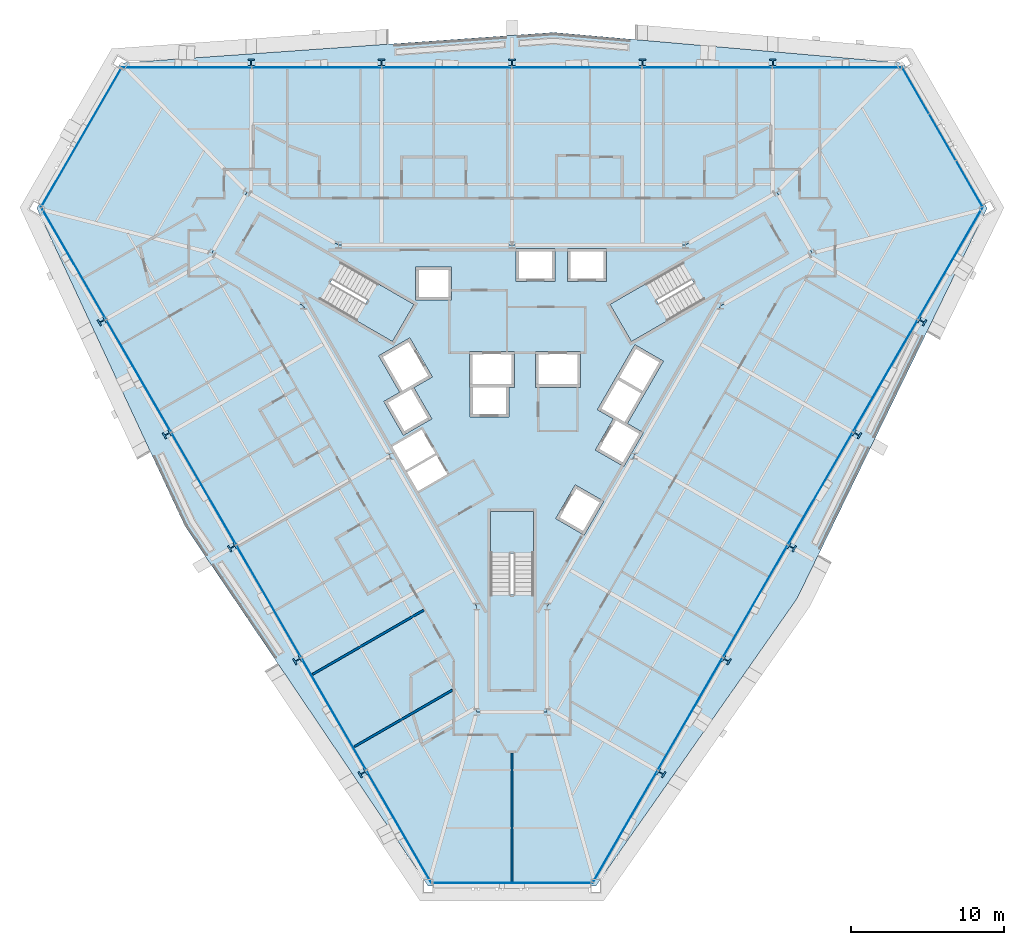
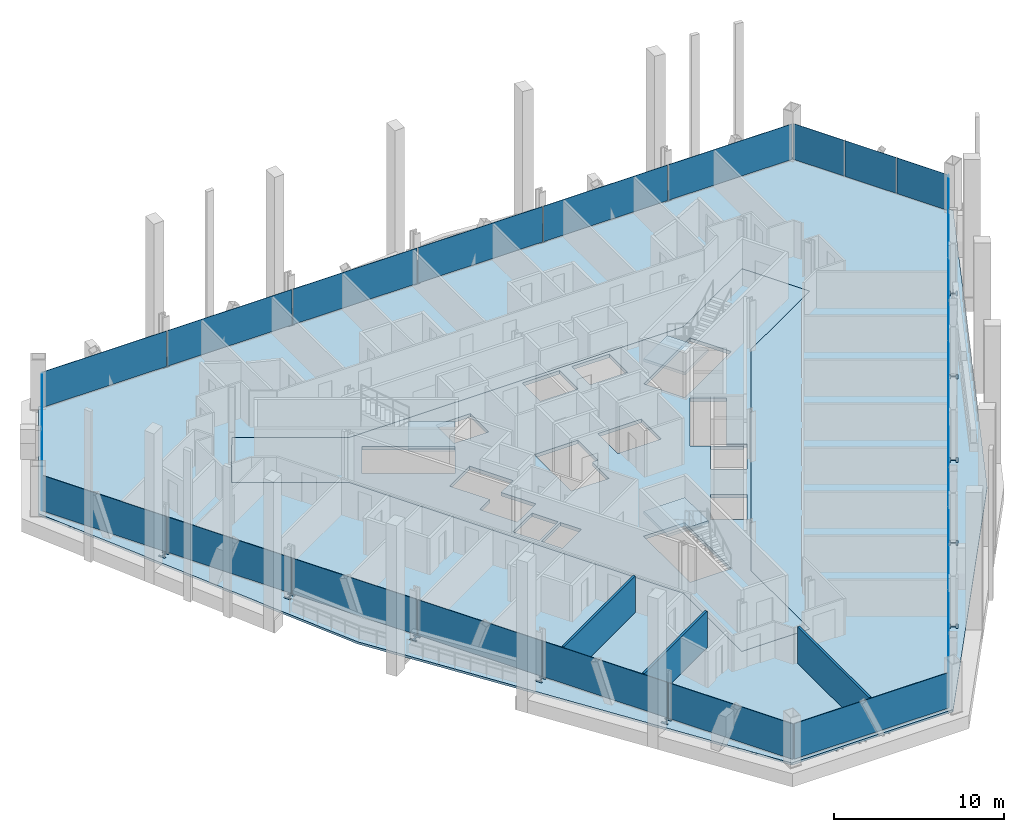
# One storey, part 10 of 18: 23 plates, 15 members, 5 slabs, 3 walls, 9 elements without a shape of their own.
"""IFC4 building model written with IfcOpenShell, lengths in metres."""

from ifc_helpers import new_model, si_unit, direction, frame, frame_2d, origin, origin_2d, place, context, subcontext, project, spatial, polyline, rectangle, i_section, outline, extrude, material, layer, layer_set, material_profile, profile_set, type_object, element, aggregate, save


model = new_model("IFC4")

# Units and contexts
model_context = context("Model", 3, precision=1e-05, world=origin(), true_north=direction((0.0, 1.0)))
body_context = subcontext(model_context, "Body", "Model", "MODEL_VIEW")
ifc_project = project(units=[si_unit("LENGTHUNIT", "METRE"), si_unit("AREAUNIT", "SQUARE_METRE"), si_unit("VOLUMEUNIT", "CUBIC_METRE"), si_unit("PLANEANGLEUNIT", "RADIAN"), si_unit("MASSUNIT", "GRAM", prefix="KILO")], contexts=[model_context])

# Site, building, storey
site_placement = place(None, origin())
site = spatial("IfcSite", under=ifc_project, at=site_placement, CompositionType="ELEMENT")
building_placement = place(site_placement, origin())
building = spatial("IfcBuilding", under=site, at=building_placement, Name="Verrane Prism Tower", CompositionType="ELEMENT")
storey_placement = place(building_placement, frame((0.0, 0.0, 47.60009765625)))
storey = spatial("IfcBuildingStorey", under=building, at=storey_placement, Name="L09", CompositionType="ELEMENT", Elevation=47.60009765625)

# Members
ifc_material_1 = material(Name="Steel A992", Category="steel")
ifc_material_profile = material_profile(ifc_material_1, i_section(OverallWidth=0.44189453125, OverallDepth=0.53076171875, WebThickness=0.06591796875, FlangeThickness=0.105712890625, FilletRadius=0.01513671875, at=origin_2d()), Name="W14x605")
ifc_profile_set = profile_set([ifc_material_profile], Name="Steel A992")
member_type = type_object("IfcMemberType", Name="Kink node W14x605", PredefinedType="COLLAR", material=ifc_profile_set)
for number, where, z_axis, x_axis, name in (
    (1, (17.029541015625, 21.069091796875, -0.025146484375), (0.0, 0.0, 1.0), (1.0, 0.0, 0.0), "Kink node PC2 L09"),
    (2, (8.519775390625, 21.069091796875, -0.025146484375), (0.0, 0.0, 1.0), (1.0, 0.0, 0.0), "Kink node PC2 L09"),
    (3, (0.0, 21.069091796875, -0.025146484375), (0.0, 0.0, 1.0), (1.0, 0.0, 0.0), "Kink node PC2 L09"),
    (4, (-8.519775390625, 21.069091796875, -0.025146484375), (0.0, 0.0, 1.0), (1.0, 0.0, 0.0), "Kink node PC2 L09"),
    (5, (-17.029541015625, 21.069091796875, -0.025146484375), (0.0, 0.0, 1.0), (1.0, 0.0, 0.0), "Kink node PC2 L09"),
    (6, (9.729248046875, -25.2890625, -0.025146484375), (0.0, 0.0, 1.0), (-0.5, -0.866025403784, 0.0), "Kink node PC2 L09"),
    (7, (13.9892578125, -17.9091796875, -0.025146484375), (0.0, 0.0, 1.0), (-0.5, -0.866025403784, 0.0), "Kink node PC2 L09"),
    (8, (18.2490234375, -10.539306640625, -0.025146484375), (0.0, 0.0, 1.0), (-0.5, -0.866025403784, 0.0), "Kink node PC2 L09"),
    (9, (22.509033203125, -3.15966796875, -0.025146484375), (0.0, 0.0, 1.0), (-0.5, -0.866025403784, 0.0), "Kink node PC2 L09"),
    (10, (26.7587890625, 4.22021484375, -0.025146484375), (0.0, 0.0, 1.0), (-0.5, -0.866025403784, 0.0), "Kink node PC2 L09"),
    (11, (-26.7587890625, 4.22021484375, -0.025146484375), (0.0, 0.0, 1.0), (-0.5, 0.866025403784, 0.0), "Kink node PC2 L09"),
    (12, (-22.509033203125, -3.15966796875, -0.025146484375), (0.0, 0.0, 1.0), (-0.5, 0.866025403784, 0.0), "Kink node PC2 L09"),
    (13, (-18.2490234375, -10.539306640625, -0.025146484375), (0.0, 0.0, 1.0), (-0.5, 0.866025403784, 0.0), "Kink node PC2 L09"),
    (14, (-13.9892578125, -17.9091796875, -0.025146484375), (0.0, 0.0, 1.0), (-0.5, 0.866025403784, 0.0), "Kink node PC2 L09"),
    (15, (-9.729248046875, -25.2890625, -0.025146484375), (0.0, 0.0, 1.0), (-0.5, 0.866025403784, 0.0), "Kink node PC2 L09"),
):
    element("IfcMember", number, at=place(storey_placement, frame(where, z_axis=z_axis, x_axis=x_axis)), inside=storey, type_object=member_type, Name=name, PredefinedType="COLLAR", context=body_context, shape_type="SweptSolid", body=[
        extrude(i_section(OverallWidth=0.44189453125, OverallDepth=0.53076171875, WebThickness=0.06591796875, FlangeThickness=0.105712890625, FilletRadius=0.01513671875, at=origin_2d()), origin(), (0.0, 0.0, 1.0), 0.050048828125),
    ])

# Slabs
ifc_material_2 = material(Name="Concrete C35/45", Category="concrete")
ifc_layer_1 = layer(ifc_material_2, 0.159912109375)
ifc_layer_set_1 = layer_set([ifc_layer_1], Name="Composite floor slab")
slab_type_1 = type_object("IfcSlabType", Name="Composite floor slab", PredefinedType="FLOOR", material=ifc_layer_set_1)
slab_1_placement = place(storey_placement, frame((0.0, 0.0, -0.16015625)))
element("IfcSlab", 16, at=slab_1_placement, inside=storey, type_object=slab_type_1, Name="Floor slab L09", PredefinedType="FLOOR", context=body_context, shape_type="SweptSolid", body=[
    extrude(outline(polyline([(18.61669921875, -13.89501953125), (5.472900390625, -32.660400390625), (-5.472900390625, -32.660400390625), (-21.341796875, -9.1748046875), (-31.021240234375, 11.590576171875), (-25.54833984375, 21.070068359375), (2.72509765625, 23.070068359375), (25.54833984375, 21.070068359375), (31.021240234375, 11.590576171875), (18.61669921875, -13.89501953125)]), holes=[polyline([(19.60009765625, 8.659912109375), (17.300048828125, 12.639892578125), (11.330078125, 9.199951171875), (0.0, 9.199951171875), (-11.330078125, 9.199951171875), (-17.300048828125, 12.639892578125), (-19.60009765625, 8.659912109375), (-13.6298828125, 5.219970703125), (-7.969970703125, -4.60009765625), (-2.300048828125, -14.419921875), (-2.300048828125, -21.300048828125), (2.300048828125, -21.300048828125), (2.300048828125, -14.419921875), (7.969970703125, -4.60009765625), (13.6298828125, 5.219970703125), (19.60009765625, 8.659912109375)])]), origin(), (0.0, 0.0, 1.0), 0.16015625),
])
ifc_material_3 = material(Name="Concrete C40/50", Category="concrete")
ifc_layer_2 = layer(ifc_material_3, 0.25)
ifc_layer_set_2 = layer_set([ifc_layer_2], Name="Core floor slab 250 concrete C40/50")
slab_type_2 = type_object("IfcSlabType", Name="Core floor slab 250 concrete C40/50", PredefinedType="FLOOR", material=ifc_layer_set_2)
slab_2_placement = place(storey_placement, frame((0.0, 0.0, -0.25)))
element("IfcSlab", 17, at=slab_2_placement, inside=storey, type_object=slab_type_2, Name="Core floor L09", PredefinedType="FLOOR", context=body_context, shape_type="SweptSolid", body=[
    extrude(outline(polyline([(13.6298828125, 5.219970703125), (19.60009765625, 8.659912109375), (17.300048828125, 12.639892578125), (11.330078125, 9.199951171875), (0.0, 9.199951171875), (-11.330078125, 9.199951171875), (-17.300048828125, 12.639892578125), (-19.60009765625, 8.659912109375), (-13.6298828125, 5.219970703125), (-7.969970703125, -4.60009765625), (-2.300048828125, -14.419921875), (-2.300048828125, -21.300048828125), (2.300048828125, -21.300048828125), (2.300048828125, -14.419921875), (7.969970703125, -4.60009765625), (13.6298828125, 5.219970703125)]), holes=[polyline([(1.39990234375, -8.199951171875), (1.39990234375, -13.639892578125), (-1.39990234375, -13.639892578125), (-1.39990234375, -8.199951171875), (1.39990234375, -8.199951171875)]), polyline([(-4.215087890625, -5.77099609375), (-6.14208984375, -6.883056640625), (-6.85400390625, -5.64599609375), (-4.928955078125, -4.533935546875), (-4.215087890625, -5.77099609375)]), polyline([(-5.0029296875, -4.404052734375), (-6.929931640625, -5.51708984375), (-7.819091796875, -3.97705078125), (-5.89306640625, -2.864013671875), (-5.0029296875, -4.404052734375)]), polyline([(0.1650390625, 2.25), (0.1650390625, -0.10009765625), (-0.205078125, -0.10009765625), (-0.205078125, -2.050048828125), (-2.7548828125, -2.050048828125), (-2.7548828125, -0.10009765625), (-2.784912109375, -0.10009765625), (-2.784912109375, 2.25), (0.1650390625, 2.25)]), polyline([(-12.512939453125, 5.60791015625), (-11.113037109375, 8.031982421875), (-6.40087890625, 5.31201171875), (-7.801025390625, 2.887939453125), (-12.512939453125, 5.60791015625)]), polyline([(-6.284912109375, 5.610107421875), (-6.284912109375, 7.760009765625), (-3.93505859375, 7.760009765625), (-3.93505859375, 5.610107421875), (-6.284912109375, 5.610107421875)]), polyline([(4.717041015625, -9.75), (2.85498046875, -8.675048828125), (4.1298828125, -6.466064453125), (5.991943359375, -7.541015625), (4.717041015625, -9.75)]), polyline([(8.303955078125, -3.136962890625), (5.575927734375, -1.56201171875), (8.02587890625, 2.680908203125), (9.887939453125, 1.60595703125), (7.5380859375, -2.464111328125), (8.576904296875, -3.06396484375), (7.302001953125, -5.27197265625), (5.43994140625, -4.197021484375), (6.614990234375, -2.162109375), (8.303955078125, -3.136962890625)]), polyline([(1.52490234375, -0.10009765625), (1.52490234375, 2.25), (4.47509765625, 2.25), (4.47509765625, -0.10009765625), (1.52490234375, -0.10009765625)]), polyline([(6.40087890625, 5.31201171875), (11.113037109375, 8.031982421875), (12.512939453125, 5.60791015625), (7.801025390625, 2.887939453125), (6.40087890625, 5.31201171875)]), polyline([(0.264892578125, 6.81005859375), (0.264892578125, 8.9599609375), (2.81494140625, 8.9599609375), (2.81494140625, 6.81005859375), (0.264892578125, 6.81005859375)]), polyline([(3.625, 6.81005859375), (3.625, 8.9599609375), (6.175048828125, 8.9599609375), (6.175048828125, 6.81005859375), (3.625, 6.81005859375)]), polyline([(-5.23095703125, -2.159912109375), (-7.093017578125, -3.235107421875), (-8.367919921875, -1.02587890625), (-7.3291015625, -0.426025390625), (-8.7041015625, 1.955078125), (-6.66796875, 3.1298828125), (-5.193115234375, 0.574951171875), (-6.406005859375, -0.125), (-5.23095703125, -2.159912109375)])]), origin(), (0.0, 0.0, 1.0), 0.25),
])

# Curtain wall, plates
ifc_material_4 = material(Name="Aluminium framed insulated glazing", Category="aluminium")
curtain_wall_type_1 = type_object("IfcCurtainWallType", Name="Curtain wall CW-C 4200 module", PredefinedType="NOTDEFINED", material=ifc_material_4)
curtain_wall_1_placement = place(storey_placement, origin())
curtain_wall_1 = element("IfcCurtainWall", 18, at=curtain_wall_1_placement, inside=storey, type_object=curtain_wall_type_1, Name="Glazed curtain wall north-east corner L09", PredefinedType="NOTDEFINED")
ifc_material_5 = material(Name="Low-iron insulating glass unit", Category="glass")
ifc_layer_3 = layer(ifc_material_5, 0.02392578125)
ifc_layer_set_3 = layer_set([ifc_layer_3], Name="Glazing panel IGU 24")
plate_type_1 = type_object("IfcPlateType", Name="Glazing panel IGU 24", PredefinedType="CURTAIN_PANEL", material=ifc_layer_set_3)
plate_1_placement = place(storey_placement, frame((29.85888671875, 13.1982421875, 0.0498046875), z_axis=(0.0, 0.0, 1.0), x_axis=(-0.499998785495, 0.866026104978, 0.0)))
plate_1 = element("IfcPlate", 19, at=plate_1_placement, type_object=plate_type_1, Name="CW09.1 panel 1", PredefinedType="CURTAIN_PANEL", context=body_context, shape_type="SweptSolid", body=[
    extrude(rectangle(XDim=3.43701171875, YDim=0.02392578125, at=origin_2d()), origin(), (0.0, 0.0, 1.0), 2.56298828125),
])
plate_2_placement = place(storey_placement, frame((28.109130859375, 16.228759765625, 0.0498046875), z_axis=(0.0, 0.0, 1.0), x_axis=(-0.499998785495, 0.866026104978, 0.0)))
plate_2 = element("IfcPlate", 20, at=plate_2_placement, type_object=plate_type_1, Name="CW09.1 panel 2", PredefinedType="CURTAIN_PANEL", context=body_context, shape_type="SweptSolid", body=[
    extrude(rectangle(XDim=3.4619140625, YDim=0.02392578125, at=origin_2d()), origin(), (0.0, 0.0, 1.0), 2.56298828125),
])
plate_3_placement = place(storey_placement, frame((26.346923828125, 19.281005859375, 0.0498046875), z_axis=(0.0, 0.0, 1.0), x_axis=(-0.499998785495, 0.866026104978, 0.0)))
plate_3 = element("IfcPlate", 21, at=plate_3_placement, type_object=plate_type_1, Name="CW09.1 panel 3", PredefinedType="CURTAIN_PANEL", context=body_context, shape_type="SweptSolid", body=[
    extrude(rectangle(XDim=3.487060546875, YDim=0.02392578125, at=origin_2d()), origin(), (0.0, 0.0, 1.0), 2.56298828125),
])
aggregate(curtain_wall_1, [plate_1, plate_2, plate_3])

ifc_material_6 = material(Name="Aluminium framed insulated glazing", Category="aluminium")
curtain_wall_type_2 = type_object("IfcCurtainWallType", Name="Curtain wall CW-A 8400 module", PredefinedType="NOTDEFINED", material=ifc_material_6)
curtain_wall_2_placement = place(storey_placement, origin())
curtain_wall_2 = element("IfcCurtainWall", 22, at=curtain_wall_2_placement, inside=storey, type_object=curtain_wall_type_2, Name="Glazed curtain wall north face L09", PredefinedType="NOTDEFINED")
ifc_material_7 = material(Name="Low-iron insulating glass unit", Category="glass")
ifc_layer_4 = layer(ifc_material_7, 0.031982421875)
ifc_layer_set_4 = layer_set([ifc_layer_4], Name="Glazing panel IGU 32")
plate_type_2 = type_object("IfcPlateType", Name="Glazing panel IGU 32", PredefinedType="CURTAIN_PANEL", material=ifc_layer_set_4)
plate_4_placement = place(storey_placement, frame((21.2119140625, 20.791015625, 0.06982421875), z_axis=(0.0, 0.0, 1.0), x_axis=(-1.0, 0.0, 0.0)))
plate_4 = element("IfcPlate", 23, at=plate_4_placement, type_object=plate_type_2, Name="CW09.2 panel 1", PredefinedType="CURTAIN_PANEL", context=body_context, shape_type="SweptSolid", body=[
    extrude(rectangle(XDim=8.38671875, YDim=0.031982421875, at=origin_2d()), origin(), (0.0, 0.0, 1.0), 2.54296875),
])
plate_5_placement = place(storey_placement, frame((12.737548828125, 20.791015625, 0.06982421875), z_axis=(0.0, 0.0, 1.0), x_axis=(-1.0, 0.0, 0.0)))
plate_5 = element("IfcPlate", 24, at=plate_5_placement, type_object=plate_type_2, Name="CW09.2 panel 2", PredefinedType="CURTAIN_PANEL", context=body_context, shape_type="SweptSolid", body=[
    extrude(rectangle(XDim=8.421630859375, YDim=0.031982421875, at=origin_2d()), origin(), (0.0, 0.0, 1.0), 2.54296875),
])
plate_6_placement = place(storey_placement, frame((4.245849609375, 20.791015625, 0.06982421875), z_axis=(0.0, 0.0, 1.0), x_axis=(-1.0, 0.0, 0.0)))
plate_6 = element("IfcPlate", 25, at=plate_6_placement, type_object=plate_type_2, Name="CW09.2 panel 3", PredefinedType="CURTAIN_PANEL", context=body_context, shape_type="SweptSolid", body=[
    extrude(rectangle(XDim=8.421630859375, YDim=0.031982421875, at=origin_2d()), origin(), (0.0, 0.0, 1.0), 2.54296875),
])
plate_7_placement = place(storey_placement, frame((-4.245849609375, 20.791015625, 0.06982421875), z_axis=(0.0, 0.0, 1.0), x_axis=(-1.0, 0.0, 0.0)))
plate_7 = element("IfcPlate", 26, at=plate_7_placement, type_object=plate_type_2, Name="CW09.2 panel 4", PredefinedType="CURTAIN_PANEL", context=body_context, shape_type="SweptSolid", body=[
    extrude(rectangle(XDim=8.421630859375, YDim=0.031982421875, at=origin_2d()), origin(), (0.0, 0.0, 1.0), 2.54296875),
])
plate_8_placement = place(storey_placement, frame((-12.737548828125, 20.791015625, 0.06982421875), z_axis=(0.0, 0.0, 1.0), x_axis=(-1.0, 0.0, 0.0)))
plate_8 = element("IfcPlate", 27, at=plate_8_placement, type_object=plate_type_2, Name="CW09.2 panel 5", PredefinedType="CURTAIN_PANEL", context=body_context, shape_type="SweptSolid", body=[
    extrude(rectangle(XDim=8.421630859375, YDim=0.031982421875, at=origin_2d()), origin(), (0.0, 0.0, 1.0), 2.54296875),
])
plate_9_placement = place(storey_placement, frame((-21.246826171875, 20.791015625, 0.06982421875), z_axis=(0.0, 0.0, 1.0), x_axis=(-1.0, 0.0, 0.0)))
plate_9 = element("IfcPlate", 28, at=plate_9_placement, type_object=plate_type_2, Name="CW09.2 panel 6", PredefinedType="CURTAIN_PANEL", context=body_context, shape_type="SweptSolid", body=[
    extrude(rectangle(XDim=8.456787109375, YDim=0.031982421875, at=origin_2d()), origin(), (0.0, 0.0, 1.0), 2.54296875),
])
aggregate(curtain_wall_2, [plate_4, plate_5, plate_6, plate_7, plate_8, plate_9])

# Curtain wall, plate
curtain_wall_3_placement = place(storey_placement, origin())
curtain_wall_3 = element("IfcCurtainWall", 29, at=curtain_wall_3_placement, inside=storey, type_object=curtain_wall_type_2, Name="Glazed curtain wall north-west corner L09", PredefinedType="NOTDEFINED")
plate_10_placement = place(storey_placement, frame((-28.126708984375, 16.198486328125, 0.06982421875), z_axis=(0.0, 0.0, 1.0), x_axis=(-0.499998785495, -0.866026104978, 0.0)))
plate_10 = element("IfcPlate", 30, at=plate_10_placement, type_object=plate_type_2, Name="CW09.3 panel 1", PredefinedType="CURTAIN_PANEL", context=body_context, shape_type="SweptSolid", body=[
    extrude(rectangle(XDim=10.4658203125, YDim=0.031982421875, at=origin_2d()), origin(), (0.0, 0.0, 1.0), 2.54296875),
])
aggregate(curtain_wall_3, [plate_10])

# Curtain wall, plates
curtain_wall_4_placement = place(storey_placement, origin())
curtain_wall_4 = element("IfcCurtainWall", 31, at=curtain_wall_4_placement, inside=storey, type_object=curtain_wall_type_2, Name="Glazed curtain wall south-west face L09", PredefinedType="NOTDEFINED")
plate_11_placement = place(storey_placement, frame((-28.611328125, 7.974609375, 0.06982421875), z_axis=(0.0, 0.0, 1.0), x_axis=(0.499999496308, -0.866025694591, 0.0)))
plate_11 = element("IfcPlate", 32, at=plate_11_placement, type_object=plate_type_2, Name="CW09.4 panel 1", PredefinedType="CURTAIN_PANEL", context=body_context, shape_type="SweptSolid", body=[
    extrude(rectangle(XDim=8.38671875, YDim=0.031982421875, at=origin_2d()), origin(), (0.0, 0.0, 1.0), 2.54296875),
])
plate_12_placement = place(storey_placement, frame((-24.374267578125, 0.635498046875, 0.06982421875), z_axis=(0.0, 0.0, 1.0), x_axis=(0.499999496308, -0.866025694591, 0.0)))
plate_12 = element("IfcPlate", 33, at=plate_12_placement, type_object=plate_type_2, Name="CW09.4 panel 2", PredefinedType="CURTAIN_PANEL", context=body_context, shape_type="SweptSolid", body=[
    extrude(rectangle(XDim=8.421630859375, YDim=0.031982421875, at=origin_2d()), origin(), (0.0, 0.0, 1.0), 2.54296875),
])
plate_13_placement = place(storey_placement, frame((-20.12841796875, -6.718505859375, 0.06982421875), z_axis=(0.0, 0.0, 1.0), x_axis=(0.499999496308, -0.866025694591, 0.0)))
plate_13 = element("IfcPlate", 34, at=plate_13_placement, type_object=plate_type_2, Name="CW09.4 panel 3", PredefinedType="CURTAIN_PANEL", context=body_context, shape_type="SweptSolid", body=[
    extrude(rectangle(XDim=8.421630859375, YDim=0.031982421875, at=origin_2d()), origin(), (0.0, 0.0, 1.0), 2.54296875),
])
plate_14_placement = place(storey_placement, frame((-15.882568359375, -14.072509765625, 0.06982421875), z_axis=(0.0, 0.0, 1.0), x_axis=(0.499999496308, -0.866025694591, 0.0)))
plate_14 = element("IfcPlate", 35, at=plate_14_placement, type_object=plate_type_2, Name="CW09.4 panel 4", PredefinedType="CURTAIN_PANEL", context=body_context, shape_type="SweptSolid", body=[
    extrude(rectangle(XDim=8.421630859375, YDim=0.031982421875, at=origin_2d()), origin(), (0.0, 0.0, 1.0), 2.54296875),
])
plate_15_placement = place(storey_placement, frame((-11.63671875, -21.426513671875, 0.06982421875), z_axis=(0.0, 0.0, 1.0), x_axis=(0.499999496308, -0.866025694591, 0.0)))
plate_15 = element("IfcPlate", 36, at=plate_15_placement, type_object=plate_type_2, Name="CW09.4 panel 5", PredefinedType="CURTAIN_PANEL", context=body_context, shape_type="SweptSolid", body=[
    extrude(rectangle(XDim=8.421630859375, YDim=0.031982421875, at=origin_2d()), origin(), (0.0, 0.0, 1.0), 2.54296875),
])
plate_16_placement = place(storey_placement, frame((-7.382080078125, -28.7958984375, 0.06982421875), z_axis=(0.0, 0.0, 1.0), x_axis=(0.499999496308, -0.866025694591, 0.0)))
plate_16 = element("IfcPlate", 37, at=plate_16_placement, type_object=plate_type_2, Name="CW09.4 panel 6", PredefinedType="CURTAIN_PANEL", context=body_context, shape_type="SweptSolid", body=[
    extrude(rectangle(XDim=8.456787109375, YDim=0.031982421875, at=origin_2d()), origin(), (0.0, 0.0, 1.0), 2.54296875),
])
aggregate(curtain_wall_4, [plate_11, plate_12, plate_13, plate_14, plate_15, plate_16])

# Curtain wall, plate
curtain_wall_5_placement = place(storey_placement, origin())
curtain_wall_5 = element("IfcCurtainWall", 38, at=curtain_wall_5_placement, inside=storey, type_object=curtain_wall_type_2, Name="Glazed curtain wall south corner L09", PredefinedType="NOTDEFINED")
plate_17_placement = place(storey_placement, frame((0.034912109375, -32.457763671875, 0.06982421875), z_axis=(0.0, 0.0, 1.0), x_axis=(1.0, 0.0, 0.0)))
plate_17 = element("IfcPlate", 39, at=plate_17_placement, type_object=plate_type_2, Name="CW09.5 panel 1", PredefinedType="CURTAIN_PANEL", context=body_context, shape_type="SweptSolid", body=[
    extrude(rectangle(XDim=10.4658203125, YDim=0.031982421875, at=origin_2d()), origin(), (0.0, 0.0, 1.0), 2.54296875),
])
aggregate(curtain_wall_5, [plate_17])

# Curtain wall, plates
curtain_wall_6_placement = place(storey_placement, origin())
curtain_wall_6 = element("IfcCurtainWall", 40, at=curtain_wall_6_placement, inside=storey, type_object=curtain_wall_type_2, Name="Glazed curtain wall south-east face L09", PredefinedType="NOTDEFINED")
plate_18_placement = place(storey_placement, frame((7.399658203125, -28.765625, 0.06982421875), z_axis=(0.0, 0.0, 1.0), x_axis=(0.499999496308, 0.866025694591, 0.0)))
plate_18 = element("IfcPlate", 41, at=plate_18_placement, type_object=plate_type_2, Name="CW09.6 panel 1", PredefinedType="CURTAIN_PANEL", context=body_context, shape_type="SweptSolid", body=[
    extrude(rectangle(XDim=8.38671875, YDim=0.031982421875, at=origin_2d()), origin(), (0.0, 0.0, 1.0), 2.54296875),
])
plate_19_placement = place(storey_placement, frame((11.63671875, -21.426513671875, 0.06982421875), z_axis=(0.0, 0.0, 1.0), x_axis=(0.499999496308, 0.866025694591, 0.0)))
plate_19 = element("IfcPlate", 42, at=plate_19_placement, type_object=plate_type_2, Name="CW09.6 panel 2", PredefinedType="CURTAIN_PANEL", context=body_context, shape_type="SweptSolid", body=[
    extrude(rectangle(XDim=8.421630859375, YDim=0.031982421875, at=origin_2d()), origin(), (0.0, 0.0, 1.0), 2.54296875),
])
plate_20_placement = place(storey_placement, frame((15.882568359375, -14.072509765625, 0.06982421875), z_axis=(0.0, 0.0, 1.0), x_axis=(0.499999496308, 0.866025694591, 0.0)))
plate_20 = element("IfcPlate", 43, at=plate_20_placement, type_object=plate_type_2, Name="CW09.6 panel 3", PredefinedType="CURTAIN_PANEL", context=body_context, shape_type="SweptSolid", body=[
    extrude(rectangle(XDim=8.421630859375, YDim=0.031982421875, at=origin_2d()), origin(), (0.0, 0.0, 1.0), 2.54296875),
])
plate_21_placement = place(storey_placement, frame((20.12841796875, -6.718505859375, 0.06982421875), z_axis=(0.0, 0.0, 1.0), x_axis=(0.499999496308, 0.866025694591, 0.0)))
plate_21 = element("IfcPlate", 44, at=plate_21_placement, type_object=plate_type_2, Name="CW09.6 panel 4", PredefinedType="CURTAIN_PANEL", context=body_context, shape_type="SweptSolid", body=[
    extrude(rectangle(XDim=8.421630859375, YDim=0.031982421875, at=origin_2d()), origin(), (0.0, 0.0, 1.0), 2.54296875),
])
plate_22_placement = place(storey_placement, frame((24.374267578125, 0.635498046875, 0.06982421875), z_axis=(0.0, 0.0, 1.0), x_axis=(0.499999496308, 0.866025694591, 0.0)))
plate_22 = element("IfcPlate", 45, at=plate_22_placement, type_object=plate_type_2, Name="CW09.6 panel 5", PredefinedType="CURTAIN_PANEL", context=body_context, shape_type="SweptSolid", body=[
    extrude(rectangle(XDim=8.421630859375, YDim=0.031982421875, at=origin_2d()), origin(), (0.0, 0.0, 1.0), 2.54296875),
])
plate_23_placement = place(storey_placement, frame((28.62890625, 8.0048828125, 0.06982421875), z_axis=(0.0, 0.0, 1.0), x_axis=(0.499999496308, 0.866025694591, 0.0)))
plate_23 = element("IfcPlate", 46, at=plate_23_placement, type_object=plate_type_2, Name="CW09.6 panel 6", PredefinedType="CURTAIN_PANEL", context=body_context, shape_type="SweptSolid", body=[
    extrude(rectangle(XDim=8.456787109375, YDim=0.031982421875, at=origin_2d()), origin(), (0.0, 0.0, 1.0), 2.54296875),
])
aggregate(curtain_wall_6, [plate_18, plate_19, plate_20, plate_21, plate_22, plate_23])

# Stair, slab
ifc_material_8 = material(Name="Concrete C40/50", Category="concrete")
stair_type = type_object("IfcStairType", Name="Exit stair 1300 dog-leg precast concrete C40/50", PredefinedType="HALF_TURN_STAIR", material=ifc_material_8)
stair_1_placement = place(storey_placement, origin())
stair_1 = element("IfcStair", 47, at=stair_1_placement, inside=storey, type_object=stair_type, Name="Stair 1 L09", PredefinedType="HALF_TURN_STAIR")
ifc_material_9 = material(Name="Concrete C40/50", Category="concrete")
ifc_layer_5 = layer(ifc_material_9, 0.199951171875)
ifc_layer_set_5 = layer_set([ifc_layer_5], Name="Stair landing 200 precast concrete C40/50")
slab_type_3 = type_object("IfcSlabType", Name="Stair landing 200 precast concrete C40/50", PredefinedType="LANDING", material=ifc_layer_set_5)
slab_3_placement = place(storey_placement, frame((0.0, 0.0, 1.599853515625)))
slab_3 = element("IfcSlab", 48, at=slab_3_placement, type_object=slab_type_3, Name="Stair 1 landing 1", PredefinedType="LANDING", context=body_context, shape_type="SweptSolid", body=[
    extrude(outline(polyline([(8.791748046875, 6.6923828125), (6.4013671875, 5.3125), (7.801513671875, 2.887451171875), (10.191650390625, 4.267578125), (8.791748046875, 6.6923828125)])), origin(), (0.0, 0.0, 1.0), 0.199951171875),
])
aggregate(stair_1, [slab_3])

stair_2_placement = place(storey_placement, origin())
stair_2 = element("IfcStair", 49, at=stair_2_placement, inside=storey, type_object=stair_type, Name="Stair 2 L09", PredefinedType="HALF_TURN_STAIR")
slab_4_placement = place(storey_placement, frame((0.0, 0.0, 1.599853515625)))
slab_4 = element("IfcSlab", 50, at=slab_4_placement, type_object=slab_type_3, Name="Stair 2 landing 1", PredefinedType="LANDING", context=body_context, shape_type="SweptSolid", body=[
    extrude(outline(polyline([(-10.191650390625, 4.267578125), (-7.801513671875, 2.887451171875), (-6.4013671875, 5.3125), (-8.791748046875, 6.6923828125), (-10.191650390625, 4.267578125)])), origin(), (0.0, 0.0, 1.0), 0.199951171875),
])
aggregate(stair_2, [slab_4])

stair_3_placement = place(storey_placement, origin())
stair_3 = element("IfcStair", 51, at=stair_3_placement, inside=storey, type_object=stair_type, Name="Stair 3 L09", PredefinedType="HALF_TURN_STAIR")
slab_5_placement = place(storey_placement, frame((0.0, 0.0, 1.599853515625)))
slab_5 = element("IfcSlab", 52, at=slab_5_placement, type_object=slab_type_3, Name="Stair 3 landing 1", PredefinedType="LANDING", context=body_context, shape_type="SweptSolid", body=[
    extrude(outline(polyline([(1.39990234375, -10.9599609375), (1.39990234375, -8.199951171875), (-1.39990234375, -8.199951171875), (-1.39990234375, -10.9599609375), (1.39990234375, -10.9599609375)])), origin(), (0.0, 0.0, 1.0), 0.199951171875),
])
aggregate(stair_3, [slab_5])

# Walls
ifc_material_10 = material(Name="Gypsum board partition", Category="other")
ifc_layer_6 = layer(ifc_material_10, 0.14990234375)
ifc_layer_set_6 = layer_set([ifc_layer_6], Name="PW-150 demising wall 1 h")
wall_type = type_object("IfcWallType", Name="PW-150 demising wall 1 h", PredefinedType="PARTITIONING", material=ifc_layer_set_6)
wall_1_placement = place(storey_placement, frame((-13.017822265625, -18.842041015625, 0.0), z_axis=(0.0, 0.0, 1.0), x_axis=(0.866003398047, 0.500038113118, 0.0)))
element("IfcWall", 53, at=wall_1_placement, inside=storey, type_object=wall_type, Name="Demising wall 030", PredefinedType="PARTITIONING", context=body_context, shape_type="SweptSolid", body=[
    extrude(rectangle(XDim=8.390869140625, YDim=0.14990234375, at=frame_2d((4.1953125, 0.0))), origin(), (0.0, 0.0, 1.0), 2.61279296875),
])
wall_2_placement = place(storey_placement, frame((-10.29052734375, -23.56591796875, 0.0), z_axis=(0.0, 0.0, 1.0), x_axis=(0.866034694959, 0.499983906869, 0.0)))
element("IfcWall", 54, at=wall_2_placement, inside=storey, type_object=wall_type, Name="Demising wall 035", PredefinedType="PARTITIONING", context=body_context, shape_type="SweptSolid", body=[
    extrude(rectangle(XDim=7.382568359375, YDim=0.14990234375, at=frame_2d((3.69140625, 0.0))), origin(), (0.0, 0.0, 1.0), 2.61279296875),
])
wall_3_placement = place(storey_placement, frame((0.0, -32.362060546875, 0.0), z_axis=(0.0, 0.0, 1.0), x_axis=(0.0, 1.0, 0.0)))
element("IfcWall", 55, at=wall_3_placement, inside=storey, type_object=wall_type, Name="Demising wall 052", PredefinedType="PARTITIONING", context=body_context, shape_type="SweptSolid", body=[
    extrude(rectangle(XDim=8.3916015625, YDim=0.14990234375, at=frame_2d((4.19580078125, 0.0))), origin(), (0.0, 0.0, 1.0), 2.61279296875),
])

save(model, "model.ifc")
